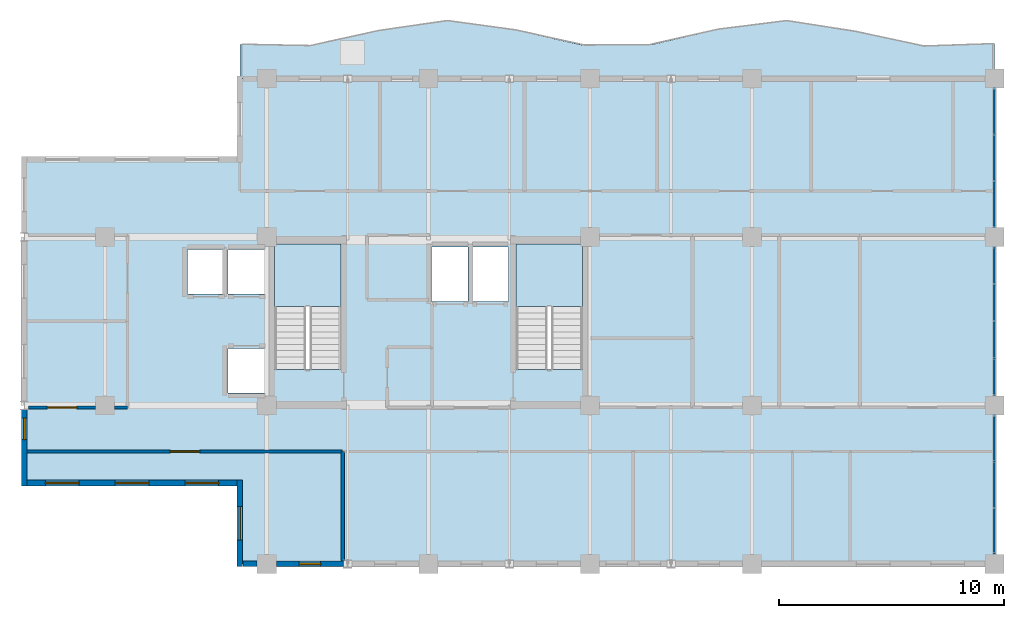
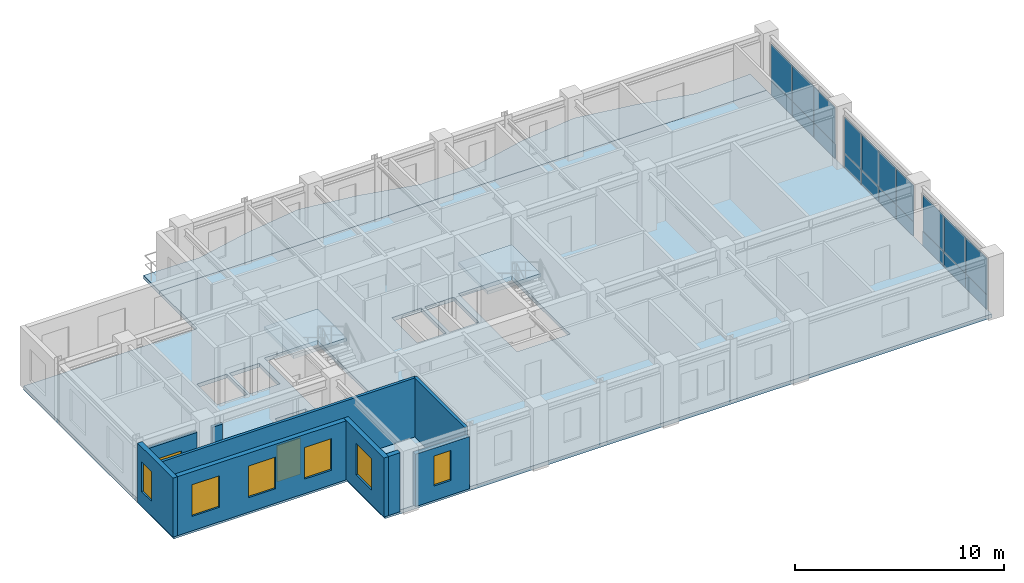
# One storey, part 5 of 10: 20 plates, 9 walls, 6 windows, 4 slabs, 2 doors, 8 openings, 5 elements without a shape of their own.
"""IFC4 building model written with IfcOpenShell, lengths in metres."""

from ifc_helpers import new_model, si_unit, direction, frame, frame_2d, origin, origin_2d, place, context, subcontext, project, spatial, polyline, rectangle, outline, extrude, source, transform, mapped, material, layer, layer_set, type_object, element, fill, aggregate, save


model = new_model("IFC4")

# Units and contexts
model_context = context("Model", 3, precision=1e-05, world=origin(), true_north=direction((0.0, 1.0)))
body_context = subcontext(model_context, "Body", "Model", "MODEL_VIEW")
ifc_project = project(units=[si_unit("LENGTHUNIT", "METRE"), si_unit("AREAUNIT", "SQUARE_METRE"), si_unit("VOLUMEUNIT", "CUBIC_METRE"), si_unit("PLANEANGLEUNIT", "RADIAN"), si_unit("MASSUNIT", "GRAM", prefix="KILO")], contexts=[model_context])

# Site, building, storey
site_placement = place(None, origin())
site = spatial("IfcSite", under=ifc_project, at=site_placement, CompositionType="ELEMENT")
building_placement = place(site_placement, origin())
building = spatial("IfcBuilding", under=site, at=building_placement, Name="Kaliganga Portal Commons", CompositionType="ELEMENT")
storey_placement = place(building_placement, frame((0.0, 0.0, 290.60009765625)))
storey = spatial("IfcBuildingStorey", under=building, at=storey_placement, Name="L75", CompositionType="ELEMENT", Elevation=290.60009765625)

# Slab
ifc_material_1 = material(Name="Concrete C40/50", Category="concrete")
ifc_layer_1 = layer(ifc_material_1, 0.2099609375)
ifc_layer_set_1 = layer_set([ifc_layer_1], Name="Concrete C40/50")
slab_type_1 = type_object("IfcSlabType", Name="SLB-BALC-210", PredefinedType="FLOOR", material=ifc_layer_set_1)
slab_1_placement = place(storey_placement, frame((0.0, 0.0, -0.210205078125)))
element("IfcSlab", 1, at=slab_1_placement, inside=storey, type_object=slab_type_1, Name="Scalloped Tree-Planter Balcony Slab L75 balc_north", PredefinedType="FLOOR", context=body_context, shape_type="SweptSolid", body=[
    extrude(outline(polyline([(46.800048828125, 43.199951171875), (46.800048828125, 44.760498046875), (43.74560546875, 44.65478515625), (40.69091796875, 45.313720703125), (37.636474609375, 45.797607421875), (34.581787109375, 45.416748046875), (31.52734375, 44.714111328125), (28.47265625, 44.69140625), (25.418212890625, 45.380859375), (22.363525390625, 45.7998046875), (19.30908203125, 45.350830078125), (16.25439453125, 44.674072265625), (13.199951171875, 44.734130859375), (13.199951171875, 43.199951171875), (46.800048828125, 43.199951171875)])), origin(), (0.0, 0.0, 1.0), 0.210205078125),
])

# Stair, slab
stair_type = type_object("IfcStairType", Name="ST-CORE-DOGLEG", PredefinedType="HALF_TURN_STAIR", material=ifc_material_1)
stair_1_placement = place(storey_placement, origin())
stair_1 = element("IfcStair", 2, at=stair_1_placement, inside=storey, type_object=stair_type, Name="L75 Protected Exit Stair ST-A1", PredefinedType="HALF_TURN_STAIR")
ifc_layer_2 = layer(ifc_material_1, 0.199951171875)
ifc_layer_set_2 = layer_set([ifc_layer_2], Name="Concrete C40/50")
slab_type_2 = type_object("IfcSlabType", Name="SLB-STAIR-LND", PredefinedType="LANDING", material=ifc_layer_set_2)
slab_2_placement = place(storey_placement, frame((0.0, 0.0, 1.64990234375)))
slab_2 = element("IfcSlab", 3, at=slab_2_placement, type_object=slab_type_2, Name="ST-A1 landing 1", PredefinedType="LANDING", context=body_context, shape_type="SweptSolid", body=[
    extrude(outline(polyline([(17.699951171875, 33.050048828125), (17.699951171875, 35.85009765625), (14.75, 35.85009765625), (14.75, 33.050048828125), (17.699951171875, 33.050048828125)])), origin(), (0.0, 0.0, 1.0), 0.199951171875),
])
aggregate(stair_1, [slab_2])

stair_2_placement = place(storey_placement, origin())
stair_2 = element("IfcStair", 4, at=stair_2_placement, inside=storey, type_object=stair_type, Name="L75 Protected Exit Stair ST-A2", PredefinedType="HALF_TURN_STAIR")
slab_3_placement = place(storey_placement, frame((0.0, 0.0, 1.64990234375)))
slab_3 = element("IfcSlab", 5, at=slab_3_placement, type_object=slab_type_2, Name="ST-A2 landing 1", PredefinedType="LANDING", context=body_context, shape_type="SweptSolid", body=[
    extrude(outline(polyline([(28.449951171875, 33.050048828125), (28.449951171875, 35.85009765625), (25.5, 35.85009765625), (25.5, 33.050048828125), (28.449951171875, 33.050048828125)])), origin(), (0.0, 0.0, 1.0), 0.199951171875),
])
aggregate(stair_2, [slab_3])

# Slab
ifc_layer_3 = layer(ifc_material_1, 0.22509765625)
ifc_layer_set_3 = layer_set([ifc_layer_3], Name="Concrete C40/50")
slab_type_3 = type_object("IfcSlabType", Name="SLB-TWR-220", PredefinedType="FLOOR", material=ifc_layer_set_3)
slab_4_placement = place(storey_placement, frame((0.0, 0.0, -0.22509765625)))
element("IfcSlab", 6, at=slab_4_placement, inside=storey, type_object=slab_type_3, Name="Structural Floor Slab L75", PredefinedType="FLOOR", context=body_context, shape_type="SweptSolid", body=[
    extrude(outline(polyline([(13.199951171875, 21.60009765625), (46.800048828125, 21.60009765625), (46.800048828125, 43.199951171875), (13.199951171875, 43.199951171875), (13.199951171875, 39.60009765625), (3.60009765625, 39.60009765625), (3.60009765625, 25.199951171875), (13.199951171875, 25.199951171875), (13.199951171875, 21.60009765625)]), holes=[polyline([(14.75, 30.25390625), (14.75, 35.85009765625), (17.699951171875, 35.85009765625), (17.699951171875, 30.25390625), (14.75, 30.25390625)]), polyline([(25.5, 30.25390625), (25.5, 35.85009765625), (28.449951171875, 35.85009765625), (28.449951171875, 30.25390625), (25.5, 30.25390625)]), polyline([(12.6650390625, 33.614990234375), (12.6650390625, 35.5849609375), (14.3349609375, 35.5849609375), (14.3349609375, 33.614990234375), (12.6650390625, 33.614990234375)]), polyline([(12.6650390625, 29.215087890625), (12.6650390625, 31.18505859375), (14.3349609375, 31.18505859375), (14.3349609375, 29.215087890625), (12.6650390625, 29.215087890625)]), polyline([(10.864990234375, 33.614990234375), (10.864990234375, 35.5849609375), (12.534912109375, 35.5849609375), (12.534912109375, 33.614990234375), (10.864990234375, 33.614990234375)]), polyline([(21.739990234375, 33.2900390625), (21.739990234375, 35.7099609375), (23.360107421875, 35.7099609375), (23.360107421875, 33.2900390625), (21.739990234375, 33.2900390625)]), polyline([(23.5400390625, 33.2900390625), (23.5400390625, 35.7099609375), (25.159912109375, 35.7099609375), (25.159912109375, 33.2900390625), (23.5400390625, 33.2900390625)])]), origin(), (0.0, 0.0, 1.0), 0.22509765625),
])

# Curtain wall, plates
ifc_material_2 = material(Name="Anodized Aluminium and Laminated Low-E Glass", Category="aluminium")
ifc_layer_4 = layer(ifc_material_2, 0.18994140625)
ifc_layer_set_4 = layer_set([ifc_layer_4], Name="Anodized Aluminium and Laminated Low-E Glass")
curtain_wall_type = type_object("IfcCurtainWallType", Name="CW-SYS-05", PredefinedType="NOTDEFINED", material=ifc_layer_set_4)
curtain_wall_1_placement = place(storey_placement, origin())
curtain_wall_1 = element("IfcCurtainWall", 7, at=curtain_wall_1_placement, inside=storey, type_object=curtain_wall_type, Name="CW 05 L75 P1E01S1", PredefinedType="NOTDEFINED")
ifc_material_3 = material(Name="Insulated Dark Spandrel Panel", Category="metal")
ifc_layer_5 = layer(ifc_material_3, 0.044921875)
ifc_layer_set_5 = layer_set([ifc_layer_5], Name="Insulated Dark Spandrel Panel")
plate_type_1 = type_object("IfcPlateType", Name="PLT-SPN-45", PredefinedType="SHEET", material=ifc_layer_set_5)
shared_shape_1 = source(origin(), body_context, "Body", "SweptSolid", [
    extrude(rectangle(XDim=2.02587890625, YDim=0.044921875, at=origin_2d()), origin(), (0.0, 0.0, 1.0), 0.841064453125),
])
plate_1_placement = place(storey_placement, frame((46.800048828125, 23.05908203125, 0.009765625), z_axis=(0.0, 0.0, 1.0), x_axis=(0.0, 1.0, 0.0)))
plate_1 = element("IfcPlate", 8, at=plate_1_placement, type_object=plate_type_1, Name="CW:05:L75:P1E01S1 Spandrel 00", PredefinedType="SHEET", context=body_context, shape_type="MappedRepresentation", body=[
    mapped(shared_shape_1, transform((0.0, 0.0, 0.0), x_axis=(1.0, 0.0, 0.0), y_axis=(0.0, 1.0, 0.0), z_axis=(0.0, 0.0, 1.0), scale=1.0)),
])
plate_2_placement = place(storey_placement, frame((46.800048828125, 25.125, 0.009765625), z_axis=(0.0, 0.0, 1.0), x_axis=(0.0, 1.0, 0.0)))
plate_2 = element("IfcPlate", 9, at=plate_2_placement, type_object=plate_type_1, Name="CW:05:L75:P1E01S1 Spandrel 01", PredefinedType="SHEET", context=body_context, shape_type="MappedRepresentation", body=[
    mapped(shared_shape_1, transform((0.0, 0.0, 0.0), x_axis=(1.0, 0.0, 0.0), y_axis=(0.0, 1.0, 0.0), z_axis=(0.0, 0.0, 1.0), scale=1.0)),
])
plate_3_placement = place(storey_placement, frame((46.800048828125, 27.19091796875, 0.009765625), z_axis=(0.0, 0.0, 1.0), x_axis=(0.0, 1.0, 0.0)))
plate_3 = element("IfcPlate", 10, at=plate_3_placement, type_object=plate_type_1, Name="CW:05:L75:P1E01S1 Spandrel 02", PredefinedType="SHEET", context=body_context, shape_type="MappedRepresentation", body=[
    mapped(shared_shape_1, transform((0.0, 0.0, 0.0), x_axis=(1.0, 0.0, 0.0), y_axis=(0.0, 1.0, 0.0), z_axis=(0.0, 0.0, 1.0), scale=1.0)),
])

curtain_wall_2_placement = place(storey_placement, origin())
curtain_wall_2 = element("IfcCurtainWall", 11, at=curtain_wall_2_placement, inside=storey, type_object=curtain_wall_type, Name="CW 05 L75 P1E01S3", PredefinedType="NOTDEFINED")
plate_4_placement = place(storey_placement, frame((46.800048828125, 37.60888671875, 0.009765625), z_axis=(0.0, 0.0, 1.0), x_axis=(0.0, 1.0, 0.0)))
plate_4 = element("IfcPlate", 12, at=plate_4_placement, type_object=plate_type_1, Name="CW:05:L75:P1E01S3 Spandrel 00", PredefinedType="SHEET", context=body_context, shape_type="MappedRepresentation", body=[
    mapped(shared_shape_1, transform((0.0, 0.0, 0.0), x_axis=(1.0, 0.0, 0.0), y_axis=(0.0, 1.0, 0.0), z_axis=(0.0, 0.0, 1.0), scale=1.0)),
])
plate_5_placement = place(storey_placement, frame((46.800048828125, 39.675048828125, 0.009765625), z_axis=(0.0, 0.0, 1.0), x_axis=(0.0, 1.0, 0.0)))
plate_5 = element("IfcPlate", 13, at=plate_5_placement, type_object=plate_type_1, Name="CW:05:L75:P1E01S3 Spandrel 01", PredefinedType="SHEET", context=body_context, shape_type="MappedRepresentation", body=[
    mapped(shared_shape_1, transform((0.0, 0.0, 0.0), x_axis=(1.0, 0.0, 0.0), y_axis=(0.0, 1.0, 0.0), z_axis=(0.0, 0.0, 1.0), scale=1.0)),
])
plate_6_placement = place(storey_placement, frame((46.800048828125, 41.740966796875, 0.009765625), z_axis=(0.0, 0.0, 1.0), x_axis=(0.0, 1.0, 0.0)))
plate_6 = element("IfcPlate", 14, at=plate_6_placement, type_object=plate_type_1, Name="CW:05:L75:P1E01S3 Spandrel 02", PredefinedType="SHEET", context=body_context, shape_type="MappedRepresentation", body=[
    mapped(shared_shape_1, transform((0.0, 0.0, 0.0), x_axis=(1.0, 0.0, 0.0), y_axis=(0.0, 1.0, 0.0), z_axis=(0.0, 0.0, 1.0), scale=1.0)),
])

# Plate
ifc_material_4 = material(Name="Dark Solar-Control Laminated Low-E IGU", Category="glass")
ifc_layer_6 = layer(ifc_material_4, 0.028076171875)
ifc_layer_set_6 = layer_set([ifc_layer_6], Name="Dark Solar-Control Laminated Low-E IGU")
plate_type_2 = type_object("IfcPlateType", Name="PLT-GLZ-28", PredefinedType="CURTAIN_PANEL", material=ifc_layer_set_6)
shared_shape_2 = source(origin(), body_context, "Body", "SweptSolid", [
    extrude(rectangle(XDim=2.02587890625, YDim=0.028076171875, at=origin_2d()), origin(), (0.0, 0.0, 1.0), 2.114013671875),
])
plate_7_placement = place(storey_placement, frame((46.800048828125, 23.05908203125, 0.87109375), z_axis=(0.0, 0.0, 1.0), x_axis=(0.0, 1.0, 0.0)))
plate_7 = element("IfcPlate", 15, at=plate_7_placement, type_object=plate_type_2, Name="CW:05:L75:P1E01S1 Vision IGU 00", PredefinedType="CURTAIN_PANEL", context=body_context, shape_type="MappedRepresentation", body=[
    mapped(shared_shape_2, transform((0.0, 0.0, 0.0), x_axis=(1.0, 0.0, 0.0), y_axis=(0.0, 1.0, 0.0), z_axis=(0.0, 0.0, 1.0), scale=1.0)),
])

plate_8_placement = place(storey_placement, frame((46.800048828125, 25.125, 0.87109375), z_axis=(0.0, 0.0, 1.0), x_axis=(0.0, 1.0, 0.0)))
plate_8 = element("IfcPlate", 16, at=plate_8_placement, type_object=plate_type_2, Name="CW:05:L75:P1E01S1 Vision IGU 01", PredefinedType="CURTAIN_PANEL", context=body_context, shape_type="MappedRepresentation", body=[
    mapped(shared_shape_2, transform((0.0, 0.0, 0.0), x_axis=(1.0, 0.0, 0.0), y_axis=(0.0, 1.0, 0.0), z_axis=(0.0, 0.0, 1.0), scale=1.0)),
])

plate_9_placement = place(storey_placement, frame((46.800048828125, 27.19091796875, 0.87109375), z_axis=(0.0, 0.0, 1.0), x_axis=(0.0, 1.0, 0.0)))
plate_9 = element("IfcPlate", 17, at=plate_9_placement, type_object=plate_type_2, Name="CW:05:L75:P1E01S1 Vision IGU 02", PredefinedType="CURTAIN_PANEL", context=body_context, shape_type="MappedRepresentation", body=[
    mapped(shared_shape_2, transform((0.0, 0.0, 0.0), x_axis=(1.0, 0.0, 0.0), y_axis=(0.0, 1.0, 0.0), z_axis=(0.0, 0.0, 1.0), scale=1.0)),
])

aggregate(curtain_wall_1, [plate_1, plate_7, plate_2, plate_8, plate_3, plate_9])

plate_10_placement = place(storey_placement, frame((46.800048828125, 37.60888671875, 0.87109375), z_axis=(0.0, 0.0, 1.0), x_axis=(0.0, 1.0, 0.0)))
plate_10 = element("IfcPlate", 18, at=plate_10_placement, type_object=plate_type_2, Name="CW:05:L75:P1E01S3 Vision IGU 00", PredefinedType="CURTAIN_PANEL", context=body_context, shape_type="MappedRepresentation", body=[
    mapped(shared_shape_2, transform((0.0, 0.0, 0.0), x_axis=(1.0, 0.0, 0.0), y_axis=(0.0, 1.0, 0.0), z_axis=(0.0, 0.0, 1.0), scale=1.0)),
])

plate_11_placement = place(storey_placement, frame((46.800048828125, 39.675048828125, 0.87109375), z_axis=(0.0, 0.0, 1.0), x_axis=(0.0, 1.0, 0.0)))
plate_11 = element("IfcPlate", 19, at=plate_11_placement, type_object=plate_type_2, Name="CW:05:L75:P1E01S3 Vision IGU 01", PredefinedType="CURTAIN_PANEL", context=body_context, shape_type="MappedRepresentation", body=[
    mapped(shared_shape_2, transform((0.0, 0.0, 0.0), x_axis=(1.0, 0.0, 0.0), y_axis=(0.0, 1.0, 0.0), z_axis=(0.0, 0.0, 1.0), scale=1.0)),
])

plate_12_placement = place(storey_placement, frame((46.800048828125, 41.740966796875, 0.87109375), z_axis=(0.0, 0.0, 1.0), x_axis=(0.0, 1.0, 0.0)))
plate_12 = element("IfcPlate", 20, at=plate_12_placement, type_object=plate_type_2, Name="CW:05:L75:P1E01S3 Vision IGU 02", PredefinedType="CURTAIN_PANEL", context=body_context, shape_type="MappedRepresentation", body=[
    mapped(shared_shape_2, transform((0.0, 0.0, 0.0), x_axis=(1.0, 0.0, 0.0), y_axis=(0.0, 1.0, 0.0), z_axis=(0.0, 0.0, 1.0), scale=1.0)),
])

aggregate(curtain_wall_2, [plate_4, plate_10, plate_5, plate_11, plate_6, plate_12])

# Curtain wall, plates
curtain_wall_3_placement = place(storey_placement, origin())
curtain_wall_3 = element("IfcCurtainWall", 21, at=curtain_wall_3_placement, inside=storey, type_object=curtain_wall_type, Name="CW 05 L75 P1E01S2", PredefinedType="NOTDEFINED")
shared_shape_3 = source(origin(), body_context, "Body", "SweptSolid", [
    extrude(rectangle(XDim=1.6220703125, YDim=0.044921875, at=origin_2d()), origin(), (0.0, 0.0, 1.0), 0.841064453125),
])
plate_13_placement = place(storey_placement, frame((46.800048828125, 29.906982421875, 0.009765625), z_axis=(0.0, 0.0, 1.0), x_axis=(0.0, 1.0, 0.0)))
plate_13 = element("IfcPlate", 22, at=plate_13_placement, type_object=plate_type_1, Name="CW:05:L75:P1E01S2 Spandrel 00", PredefinedType="SHEET", context=body_context, shape_type="MappedRepresentation", body=[
    mapped(shared_shape_3, transform((0.0, 0.0, 0.0), x_axis=(1.0, 0.0, 0.0), y_axis=(0.0, 1.0, 0.0), z_axis=(0.0, 0.0, 1.0), scale=1.0)),
])
plate_14_placement = place(storey_placement, frame((46.800048828125, 31.569091796875, 0.009765625), z_axis=(0.0, 0.0, 1.0), x_axis=(0.0, 1.0, 0.0)))
plate_14 = element("IfcPlate", 23, at=plate_14_placement, type_object=plate_type_1, Name="CW:05:L75:P1E01S2 Spandrel 01", PredefinedType="SHEET", context=body_context, shape_type="MappedRepresentation", body=[
    mapped(shared_shape_3, transform((0.0, 0.0, 0.0), x_axis=(1.0, 0.0, 0.0), y_axis=(0.0, 1.0, 0.0), z_axis=(0.0, 0.0, 1.0), scale=1.0)),
])
plate_15_placement = place(storey_placement, frame((46.800048828125, 33.23095703125, 0.009765625), z_axis=(0.0, 0.0, 1.0), x_axis=(0.0, 1.0, 0.0)))
plate_15 = element("IfcPlate", 24, at=plate_15_placement, type_object=plate_type_1, Name="CW:05:L75:P1E01S2 Spandrel 02", PredefinedType="SHEET", context=body_context, shape_type="MappedRepresentation", body=[
    mapped(shared_shape_3, transform((0.0, 0.0, 0.0), x_axis=(1.0, 0.0, 0.0), y_axis=(0.0, 1.0, 0.0), z_axis=(0.0, 0.0, 1.0), scale=1.0)),
])
plate_16_placement = place(storey_placement, frame((46.800048828125, 34.89306640625, 0.009765625), z_axis=(0.0, 0.0, 1.0), x_axis=(0.0, 1.0, 0.0)))
plate_16 = element("IfcPlate", 25, at=plate_16_placement, type_object=plate_type_1, Name="CW:05:L75:P1E01S2 Spandrel 03", PredefinedType="SHEET", context=body_context, shape_type="MappedRepresentation", body=[
    mapped(shared_shape_3, transform((0.0, 0.0, 0.0), x_axis=(1.0, 0.0, 0.0), y_axis=(0.0, 1.0, 0.0), z_axis=(0.0, 0.0, 1.0), scale=1.0)),
])
shared_shape_4 = source(origin(), body_context, "Body", "SweptSolid", [
    extrude(rectangle(XDim=1.6220703125, YDim=0.028076171875, at=origin_2d()), origin(), (0.0, 0.0, 1.0), 2.114013671875),
])
plate_17_placement = place(storey_placement, frame((46.800048828125, 29.906982421875, 0.87109375), z_axis=(0.0, 0.0, 1.0), x_axis=(0.0, 1.0, 0.0)))
plate_17 = element("IfcPlate", 26, at=plate_17_placement, type_object=plate_type_2, Name="CW:05:L75:P1E01S2 Vision IGU 00", PredefinedType="CURTAIN_PANEL", context=body_context, shape_type="MappedRepresentation", body=[
    mapped(shared_shape_4, transform((0.0, 0.0, 0.0), x_axis=(1.0, 0.0, 0.0), y_axis=(0.0, 1.0, 0.0), z_axis=(0.0, 0.0, 1.0), scale=1.0)),
])
plate_18_placement = place(storey_placement, frame((46.800048828125, 31.569091796875, 0.87109375), z_axis=(0.0, 0.0, 1.0), x_axis=(0.0, 1.0, 0.0)))
plate_18 = element("IfcPlate", 27, at=plate_18_placement, type_object=plate_type_2, Name="CW:05:L75:P1E01S2 Vision IGU 01", PredefinedType="CURTAIN_PANEL", context=body_context, shape_type="MappedRepresentation", body=[
    mapped(shared_shape_4, transform((0.0, 0.0, 0.0), x_axis=(1.0, 0.0, 0.0), y_axis=(0.0, 1.0, 0.0), z_axis=(0.0, 0.0, 1.0), scale=1.0)),
])
plate_19_placement = place(storey_placement, frame((46.800048828125, 33.23095703125, 0.87109375), z_axis=(0.0, 0.0, 1.0), x_axis=(0.0, 1.0, 0.0)))
plate_19 = element("IfcPlate", 28, at=plate_19_placement, type_object=plate_type_2, Name="CW:05:L75:P1E01S2 Vision IGU 02", PredefinedType="CURTAIN_PANEL", context=body_context, shape_type="MappedRepresentation", body=[
    mapped(shared_shape_4, transform((0.0, 0.0, 0.0), x_axis=(1.0, 0.0, 0.0), y_axis=(0.0, 1.0, 0.0), z_axis=(0.0, 0.0, 1.0), scale=1.0)),
])
plate_20_placement = place(storey_placement, frame((46.800048828125, 34.89306640625, 0.87109375), z_axis=(0.0, 0.0, 1.0), x_axis=(0.0, 1.0, 0.0)))
plate_20 = element("IfcPlate", 29, at=plate_20_placement, type_object=plate_type_2, Name="CW:05:L75:P1E01S2 Vision IGU 03", PredefinedType="CURTAIN_PANEL", context=body_context, shape_type="MappedRepresentation", body=[
    mapped(shared_shape_4, transform((0.0, 0.0, 0.0), x_axis=(1.0, 0.0, 0.0), y_axis=(0.0, 1.0, 0.0), z_axis=(0.0, 0.0, 1.0), scale=1.0)),
])
aggregate(curtain_wall_3, [plate_13, plate_17, plate_14, plate_18, plate_15, plate_19, plate_16, plate_20])

# Wall
ifc_material_5 = material(Name="Insulated Aluminium-Clad Spandrel Assembly", Category="aluminium")
ifc_layer_7 = layer(ifc_material_5, 0.260009765625)
ifc_layer_set_7 = layer_set([ifc_layer_7], Name="Insulated Aluminium-Clad Spandrel Assembly")
wall_type_1 = type_object("IfcWallType", Name="WL-EXT-SPAND-260", PredefinedType="STANDARD", material=ifc_layer_set_7)
wall_1_placement = place(storey_placement, frame((13.97412109375, 21.60009765625, 0.0), z_axis=(0.0, 0.0, 1.0), x_axis=(-1.0, 0.0, 0.0)))
element("IfcWall", 30, at=wall_1_placement, inside=storey, type_object=wall_type_1, Name="Exterior Envelope Wall L75 P1-E00-S1", PredefinedType="STANDARD", context=body_context, shape_type="SweptSolid", body=[
    extrude(rectangle(XDim=0.63916015625, YDim=0.260009765625, at=frame_2d((0.319580078125, 0.0))), origin(), (0.0, 0.0, 1.0), 3.454833984375),
])

# Wall, opening, window
wall_2_placement = place(storey_placement, frame((17.81201171875, 21.60009765625, 0.0), z_axis=(0.0, 0.0, 1.0), x_axis=(-1.0, 0.0, 0.0)))
wall_2 = element("IfcWall", 31, at=wall_2_placement, inside=storey, type_object=wall_type_1, Name="Exterior Envelope Wall L75 P1-E00-S2", PredefinedType="STANDARD", context=body_context, shape_type="SweptSolid", body=[
    extrude(rectangle(XDim=2.986083984375, YDim=0.260009765625, at=frame_2d((1.4931640625, 0.0))), origin(), (0.0, 0.0, 1.0), 3.054931640625),
])
opening_1_placement = place(wall_2_placement, frame((1.01806640625, 0.0, 0.85009765625)))
opening_1 = element("IfcOpeningElement", 32, at=opening_1_placement, cuts=wall_2, Name="Opening W-04", PredefinedType="OPENING", context=body_context, shape_type="SweptSolid", body=[
    extrude(rectangle(XDim=0.949951171875, YDim=1.75, at=frame_2d((0.47509765625, 0.875))), frame((0.0, 0.14013671875, 0.0), z_axis=(0.0, -1.0, 0.0), x_axis=(1.0, 0.0, 0.0)), (0.0, 0.0, 1.0), 0.280029296875),
])
ifc_material_6 = material(Name="Thermally Broken Aluminium and Low-E Double Glazing", Category="aluminium")
window_type_1 = type_object("IfcWindowType", Name="WIN-NARROW-950", PartitioningType="SINGLE_PANEL", PredefinedType="WINDOW", material=ifc_material_6)
window_1_placement = place(opening_1_placement, origin())
window_1 = element("IfcWindow", 33, at=window_1_placement, inside=storey, type_object=window_type_1, Name="Facade Window L75-P1E00S2-00", OverallHeight=1.75, OverallWidth=0.949951171875, PartitioningType="SINGLE_PANEL", PredefinedType="WINDOW", context=body_context, shape_type="SweptSolid", body=[
    extrude(rectangle(XDim=0.949951171875, YDim=1.75, at=frame_2d((0.47509765625, 0.875))), frame((0.0, 0.030029296875, 0.0), z_axis=(0.0, -1.0, 0.0), x_axis=(1.0, 0.0, 0.0)), (0.0, 0.0, 1.0), 0.06005859375),
])
fill(opening_1, window_1)

wall_3_placement = place(storey_placement, frame((3.60009765625, 25.070068359375, 0.0), z_axis=(0.0, 0.0, 1.0), x_axis=(0.0, 1.0, 0.0)))
wall_3 = element("IfcWall", 34, at=wall_3_placement, inside=storey, type_object=wall_type_1, Name="Exterior Envelope Wall L75 P1-E05-S3", PredefinedType="STANDARD", context=body_context, shape_type="SweptSolid", body=[
    extrude(rectangle(XDim=3.392822265625, YDim=0.260009765625, at=frame_2d((1.6962890625, 0.0))), origin(), (0.0, 0.0, 1.0), 3.454833984375),
])
opening_2_placement = place(wall_3_placement, frame((2.06298828125, 0.0, 0.85009765625)))
opening_2 = element("IfcOpeningElement", 35, at=opening_2_placement, cuts=wall_3, Name="Opening W-04", PredefinedType="OPENING", context=body_context, shape_type="SweptSolid", body=[
    extrude(rectangle(XDim=0.949951171875, YDim=1.75, at=frame_2d((0.47509765625, 0.875))), frame((0.0, 0.14013671875, 0.0), z_axis=(0.0, -1.0, 0.0), x_axis=(1.0, 0.0, 0.0)), (0.0, 0.0, 1.0), 0.280029296875),
])
window_2_placement = place(opening_2_placement, origin())
window_2 = element("IfcWindow", 36, at=window_2_placement, inside=storey, type_object=window_type_1, Name="Facade Window L75-P1E05S3-N2", OverallHeight=1.75, OverallWidth=0.949951171875, PartitioningType="SINGLE_PANEL", PredefinedType="WINDOW", context=body_context, shape_type="SweptSolid", body=[
    extrude(rectangle(XDim=0.949951171875, YDim=1.75, at=frame_2d((0.47509765625, 0.875))), frame((0.0, 0.030029296875, 0.0), z_axis=(0.0, -1.0, 0.0), x_axis=(1.0, 0.0, 0.0)), (0.0, 0.0, 1.0), 0.06005859375),
])
fill(opening_2, window_2)

# Wall, openings, windows
wall_4_placement = place(storey_placement, frame((13.06494140625, 25.199951171875, 0.0), z_axis=(0.0, 0.0, 1.0), x_axis=(-1.0, 0.0, 0.0)))
wall_4 = element("IfcWall", 37, at=wall_4_placement, inside=storey, type_object=wall_type_1, Name="Exterior Envelope Wall L75 P1-E06-S1", PredefinedType="STANDARD", context=body_context, shape_type="SweptSolid", body=[
    extrude(rectangle(XDim=9.329833984375, YDim=0.260009765625, at=frame_2d((4.6650390625, 0.0))), origin(), (0.0, 0.0, 1.0), 3.454833984375),
])
opening_3_placement = place(wall_4_placement, frame((0.804931640625, 0.0, 0.85009765625)))
opening_3 = element("IfcOpeningElement", 38, at=opening_3_placement, cuts=wall_4, Name="Opening W-02", PredefinedType="OPENING", context=body_context, shape_type="SweptSolid", body=[
    extrude(rectangle(XDim=1.5, YDim=1.85009765625, at=frame_2d((0.75, 0.925048828125))), frame((0.0, 0.14013671875, 0.0), z_axis=(0.0, -1.0, 0.0), x_axis=(1.0, 0.0, 0.0)), (0.0, 0.0, 1.0), 0.280029296875),
])
opening_4_placement = place(wall_4_placement, frame((3.9150390625, 0.0, 0.85009765625)))
opening_4 = element("IfcOpeningElement", 39, at=opening_4_placement, cuts=wall_4, Name="Opening W-02", PredefinedType="OPENING", context=body_context, shape_type="SweptSolid", body=[
    extrude(rectangle(XDim=1.5, YDim=1.85009765625, at=frame_2d((0.75, 0.925048828125))), frame((0.0, 0.14013671875, 0.0), z_axis=(0.0, -1.0, 0.0), x_axis=(1.0, 0.0, 0.0)), (0.0, 0.0, 1.0), 0.280029296875),
])
opening_5_placement = place(wall_4_placement, frame((7.02490234375, 0.0, 0.85009765625)))
opening_5 = element("IfcOpeningElement", 40, at=opening_5_placement, cuts=wall_4, Name="Opening W-02", PredefinedType="OPENING", context=body_context, shape_type="SweptSolid", body=[
    extrude(rectangle(XDim=1.5, YDim=1.85009765625, at=frame_2d((0.75, 0.925048828125))), frame((0.0, 0.14013671875, 0.0), z_axis=(0.0, -1.0, 0.0), x_axis=(1.0, 0.0, 0.0)), (0.0, 0.0, 1.0), 0.280029296875),
])
window_type_2 = type_object("IfcWindowType", Name="WIN-STD-1500", PartitioningType="DOUBLE_PANEL_VERTICAL", PredefinedType="WINDOW", material=ifc_material_6)
window_3_placement = place(opening_3_placement, origin())
window_3 = element("IfcWindow", 41, at=window_3_placement, inside=storey, type_object=window_type_2, Name="Facade Window L75-P1E06S1-00", OverallHeight=1.85009765625, OverallWidth=1.5, PartitioningType="SINGLE_PANEL", PredefinedType="WINDOW", context=body_context, shape_type="SweptSolid", body=[
    extrude(rectangle(XDim=1.5, YDim=1.85009765625, at=frame_2d((0.75, 0.925048828125))), frame((0.0, 0.030029296875, 0.0), z_axis=(0.0, -1.0, 0.0), x_axis=(1.0, 0.0, 0.0)), (0.0, 0.0, 1.0), 0.06005859375),
])
fill(opening_3, window_3)
window_4_placement = place(opening_4_placement, origin())
window_4 = element("IfcWindow", 42, at=window_4_placement, inside=storey, type_object=window_type_2, Name="Facade Window L75-P1E06S1-01", OverallHeight=1.85009765625, OverallWidth=1.5, PartitioningType="SINGLE_PANEL", PredefinedType="WINDOW", context=body_context, shape_type="SweptSolid", body=[
    extrude(rectangle(XDim=1.5, YDim=1.85009765625, at=frame_2d((0.75, 0.925048828125))), frame((0.0, 0.030029296875, 0.0), z_axis=(0.0, -1.0, 0.0), x_axis=(1.0, 0.0, 0.0)), (0.0, 0.0, 1.0), 0.06005859375),
])
fill(opening_4, window_4)
window_5_placement = place(opening_5_placement, origin())
window_5 = element("IfcWindow", 43, at=window_5_placement, inside=storey, type_object=window_type_2, Name="Facade Window L75-P1E06S1-02", OverallHeight=1.85009765625, OverallWidth=1.5, PartitioningType="SINGLE_PANEL", PredefinedType="WINDOW", context=body_context, shape_type="SweptSolid", body=[
    extrude(rectangle(XDim=1.5, YDim=1.85009765625, at=frame_2d((0.75, 0.925048828125))), frame((0.0, 0.030029296875, 0.0), z_axis=(0.0, -1.0, 0.0), x_axis=(1.0, 0.0, 0.0)), (0.0, 0.0, 1.0), 0.06005859375),
])
fill(opening_5, window_5)

# Wall, opening, window
wall_5_placement = place(storey_placement, frame((13.199951171875, 21.469970703125, 0.0), z_axis=(0.0, 0.0, 1.0), x_axis=(0.0, 1.0, 0.0)))
wall_5 = element("IfcWall", 44, at=wall_5_placement, inside=storey, type_object=wall_type_1, Name="Exterior Envelope Wall L75 P1-E07-S1", PredefinedType="STANDARD", context=body_context, shape_type="SweptSolid", body=[
    extrude(rectangle(XDim=3.860107421875, YDim=0.260009765625, at=frame_2d((1.93017578125, 0.0))), origin(), (0.0, 0.0, 1.0), 3.454833984375),
])
opening_6_placement = place(wall_5_placement, frame((1.179931640625, 0.0, 0.85009765625)))
opening_6 = element("IfcOpeningElement", 45, at=opening_6_placement, cuts=wall_5, Name="Opening W-02", PredefinedType="OPENING", context=body_context, shape_type="SweptSolid", body=[
    extrude(rectangle(XDim=1.5, YDim=1.85009765625, at=frame_2d((0.75, 0.925048828125))), frame((0.0, 0.14013671875, 0.0), z_axis=(0.0, -1.0, 0.0), x_axis=(1.0, 0.0, 0.0)), (0.0, 0.0, 1.0), 0.280029296875),
])
window_6_placement = place(opening_6_placement, origin())
window_6 = element("IfcWindow", 46, at=window_6_placement, inside=storey, type_object=window_type_2, Name="Facade Window L75-P1E07S1-00", OverallHeight=1.85009765625, OverallWidth=1.5, PartitioningType="SINGLE_PANEL", PredefinedType="WINDOW", context=body_context, shape_type="SweptSolid", body=[
    extrude(rectangle(XDim=1.5, YDim=1.85009765625, at=frame_2d((0.75, 0.925048828125))), frame((0.0, 0.030029296875, 0.0), z_axis=(0.0, -1.0, 0.0), x_axis=(1.0, 0.0, 0.0)), (0.0, 0.0, 1.0), 0.06005859375),
])
fill(opening_6, window_6)

# Wall, opening, door
ifc_material_7 = material(Name="Fire-Rated Gypsum Board on Steel Stud", Category="steel")
ifc_layer_8 = layer(ifc_material_7, 0.14990234375)
ifc_layer_set_8 = layer_set([ifc_layer_8], Name="Fire-Rated Gypsum Board on Steel Stud")
wall_type_2 = type_object("IfcWallType", Name="WL-PART-CORR-150", PredefinedType="PARTITIONING", material=ifc_layer_set_8)
wall_6_placement = place(storey_placement, frame((3.73193359375, 26.60009765625, 0.0), z_axis=(0.0, 0.0, 1.0), x_axis=(1.0, 0.0, 0.0)))
wall_6 = element("IfcWall", 47, at=wall_6_placement, inside=storey, type_object=wall_type_2, Name="Interior Partition L75-001", PredefinedType="PARTITIONING", context=body_context, shape_type="SweptSolid", body=[
    extrude(rectangle(XDim=14.048095703125, YDim=0.14990234375, at=frame_2d((7.02392578125, 0.0))), origin(), (0.0, 0.0, 1.0), 3.454833984375),
])
opening_7_placement = place(wall_6_placement, frame((6.3740234375, 0.0, 0.0)))
opening_7 = element("IfcOpeningElement", 48, at=opening_7_placement, cuts=wall_6, Name="Opening RD-03", PredefinedType="OPENING", context=body_context, shape_type="SweptSolid", body=[
    extrude(rectangle(XDim=1.300048828125, YDim=2.1201171875, at=frame_2d((0.64990234375, 1.06005859375))), frame((0.0, 0.0849609375, 0.0), z_axis=(0.0, -1.0, 0.0), x_axis=(1.0, 0.0, 0.0)), (0.0, 0.0, 1.0), 0.169921875),
])
ifc_material_8 = material(Name="Glazed Timber Seminar Vision Door", Category="wood")
door_type = type_object("IfcDoorType", Name="DR-STUDY-1300", OperationType="DOUBLE_DOOR_SINGLE_SWING", PredefinedType="DOOR", material=ifc_material_8)
door_1_placement = place(opening_7_placement, origin())
door_1 = element("IfcDoor", 49, at=door_1_placement, inside=storey, type_object=door_type, Name="Interior Door L75-AS01", OperationType="DOUBLE_DOOR_SINGLE_SWING", OverallHeight=2.1201171875, OverallWidth=1.300048828125, PredefinedType="DOOR", context=body_context, shape_type="SweptSolid", body=[
    extrude(rectangle(XDim=1.300048828125, YDim=2.1201171875, at=frame_2d((0.64990234375, 1.06005859375))), frame((0.0, 0.02490234375, 0.0), z_axis=(0.0, -1.0, 0.0), x_axis=(1.0, 0.0, 0.0)), (0.0, 0.0, 1.0), 0.050048828125),
])
fill(opening_7, door_1)

wall_7_placement = place(storey_placement, frame((3.787109375, 28.56005859375, 0.0), z_axis=(0.0, 0.0, 1.0), x_axis=(1.0, 0.0, 0.0)))
wall_7 = element("IfcWall", 50, at=wall_7_placement, inside=storey, type_object=wall_type_2, Name="Interior Partition L75-012", PredefinedType="PARTITIONING", context=body_context, shape_type="SweptSolid", body=[
    extrude(rectangle(XDim=2.98779296875, YDim=0.14990234375, at=frame_2d((1.493896484375, 0.0))), origin(), (0.0, 0.0, 1.0), 2.90478515625),
])
opening_8_placement = place(wall_7_placement, frame((0.843994140625, 0.0, 0.0)))
opening_8 = element("IfcOpeningElement", 51, at=opening_8_placement, cuts=wall_7, Name="Opening RD-03", PredefinedType="OPENING", context=body_context, shape_type="SweptSolid", body=[
    extrude(rectangle(XDim=1.300048828125, YDim=2.1201171875, at=frame_2d((0.64990234375, 1.06005859375))), frame((0.0, 0.0849609375, 0.0), z_axis=(0.0, -1.0, 0.0), x_axis=(1.0, 0.0, 0.0)), (0.0, 0.0, 1.0), 0.169921875),
])
door_2_placement = place(opening_8_placement, origin())
door_2 = element("IfcDoor", 52, at=door_2_placement, inside=storey, type_object=door_type, Name="Interior Door L75-AW01", OperationType="DOUBLE_DOOR_SINGLE_SWING", OverallHeight=2.1201171875, OverallWidth=1.300048828125, PredefinedType="DOOR", context=body_context, shape_type="SweptSolid", body=[
    extrude(rectangle(XDim=1.300048828125, YDim=2.1201171875, at=frame_2d((0.64990234375, 1.06005859375))), frame((0.0, 0.02490234375, 0.0), z_axis=(0.0, -1.0, 0.0), x_axis=(1.0, 0.0, 0.0)), (0.0, 0.0, 1.0), 0.050048828125),
])
fill(opening_8, door_2)

# Walls
wall_8_placement = place(storey_placement, frame((7.625, 28.56005859375, 0.0), z_axis=(0.0, 0.0, 1.0), x_axis=(1.0, 0.0, 0.0)))
element("IfcWall", 53, at=wall_8_placement, inside=storey, type_object=wall_type_2, Name="Interior Partition L75-013", PredefinedType="PARTITIONING", context=body_context, shape_type="SweptSolid", body=[
    extrude(rectangle(XDim=0.574951171875, YDim=0.14990234375, at=frame_2d((0.28759765625, 0.0))), origin(), (0.0, 0.0, 1.0), 2.90478515625),
])
ifc_material_9 = material(Name="Twin-Stud Acoustic Gypsum Partition", Category="gypsum")
ifc_layer_9 = layer(ifc_material_9, 0.1650390625)
ifc_layer_set_9 = layer_set([ifc_layer_9], Name="Twin-Stud Acoustic Gypsum Partition")
wall_type_3 = type_object("IfcWallType", Name="WL-PART-UNIT-165", PredefinedType="PARTITIONING", material=ifc_layer_set_9)
wall_9_placement = place(storey_placement, frame((17.780029296875, 21.73193359375, 0.0), z_axis=(0.0, 0.0, 1.0), x_axis=(0.0, 1.0, 0.0)))
element("IfcWall", 54, at=wall_9_placement, inside=storey, type_object=wall_type_3, Name="Interior Partition L75-037", PredefinedType="PARTITIONING", context=body_context, shape_type="SweptSolid", body=[
    extrude(rectangle(XDim=4.8681640625, YDim=0.1650390625, at=frame_2d((2.43408203125, 0.0))), origin(), (0.0, 0.0, 1.0), 3.454833984375),
])

save(model, "model.ifc")
